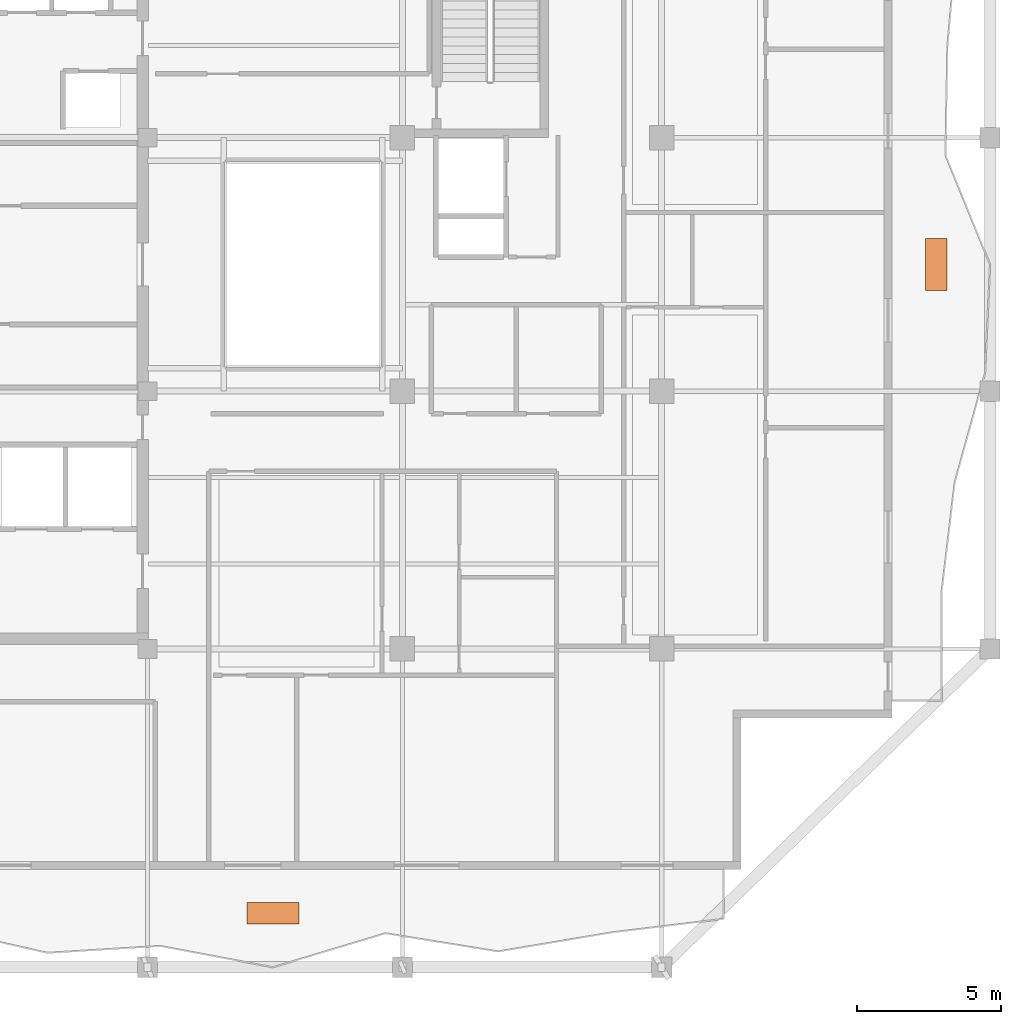
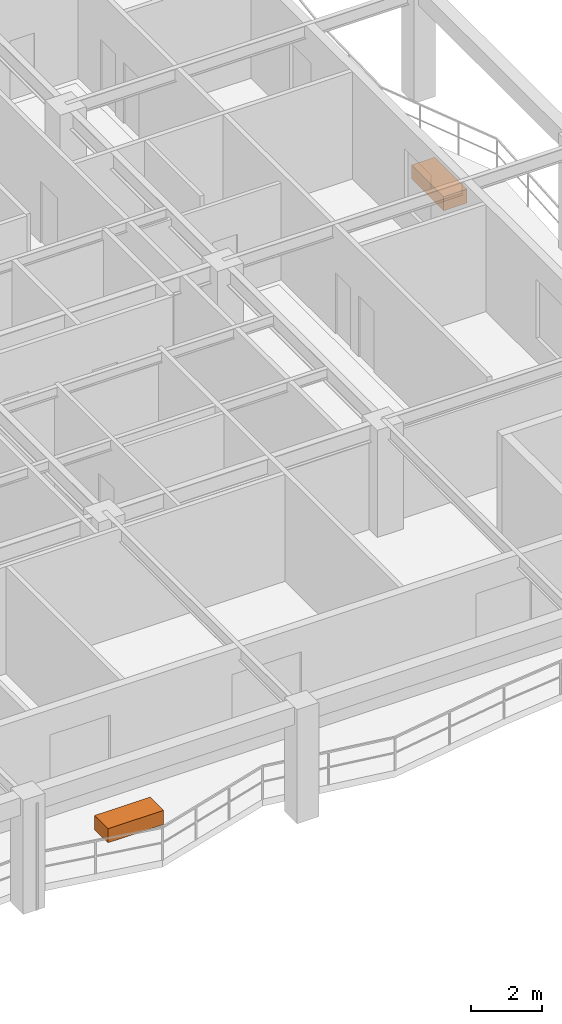
# One storey, part 12 of 12: 2 proxies.
"""IFC4 building model written with IfcOpenShell, lengths in metres."""

from ifc_helpers import new_model, si_unit, direction, frame, origin, origin_2d, place, context, subcontext, project, spatial, rectangle, extrude, material, type_object, element, save


model = new_model("IFC4")

# Units and contexts
model_context = context("Model", 3, precision=1e-05, world=origin(), true_north=direction((0.0, 1.0)))
body_context = subcontext(model_context, "Body", "Model", "MODEL_VIEW")
ifc_project = project(units=[si_unit("LENGTHUNIT", "METRE"), si_unit("AREAUNIT", "SQUARE_METRE"), si_unit("VOLUMEUNIT", "CUBIC_METRE"), si_unit("PLANEANGLEUNIT", "RADIAN"), si_unit("MASSUNIT", "GRAM", prefix="KILO")], contexts=[model_context])

# Site, building, storey
site_placement = place(None, origin())
site = spatial("IfcSite", under=ifc_project, at=site_placement, CompositionType="ELEMENT")
building_placement = place(site_placement, origin())
building = spatial("IfcBuilding", under=site, at=building_placement, Name="Kundavana Baori Tower", CompositionType="ELEMENT")
storey_placement = place(building_placement, frame((0.0, 0.0, 245.300048828125)))
storey = spatial("IfcBuildingStorey", under=building, at=storey_placement, Name="L60", CompositionType="ELEMENT", Elevation=245.300048828125)

# Proxies
ifc_material = material(Name="Red-Buff Dholpur Sandstone Cladding on Concrete C40/50", Category="masonry")
building_element_proxy_type = type_object("IfcBuildingElementProxyType", Name="PRX-PLANTER-1800", PredefinedType="USERDEFINED", material=ifc_material)
for number, where, z_axis, x_axis, name in (
    (1, (29.300048828125, 6.070068359375, 0.0), (0.0, 0.0, 1.0), (1.0, 0.0, 0.0), "L60 Dholpur Stone Structural Tree Planter S"),
    (2, (52.330078125, 28.60009765625, 0.0), (0.0, 0.0, 1.0), (0.0, 1.0, 0.0), "L60 Dholpur Stone Structural Tree Planter E"),
):
    element("IfcBuildingElementProxy", number, at=place(storey_placement, frame(where, z_axis=z_axis, x_axis=x_axis)), inside=storey, type_object=building_element_proxy_type, Name=name, ObjectType="PLANTER", PredefinedType="USERDEFINED", context=body_context, shape_type="SweptSolid", body=[
        extrude(rectangle(XDim=1.800048828125, YDim=0.75, at=origin_2d()), origin(), (0.0, 0.0, 1.0), 0.47998046875),
    ])

save(model, "model.ifc")
